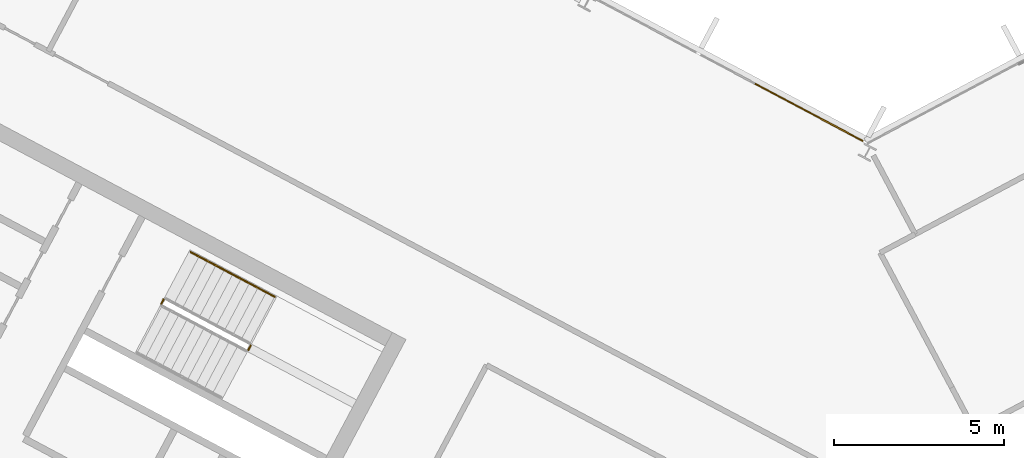
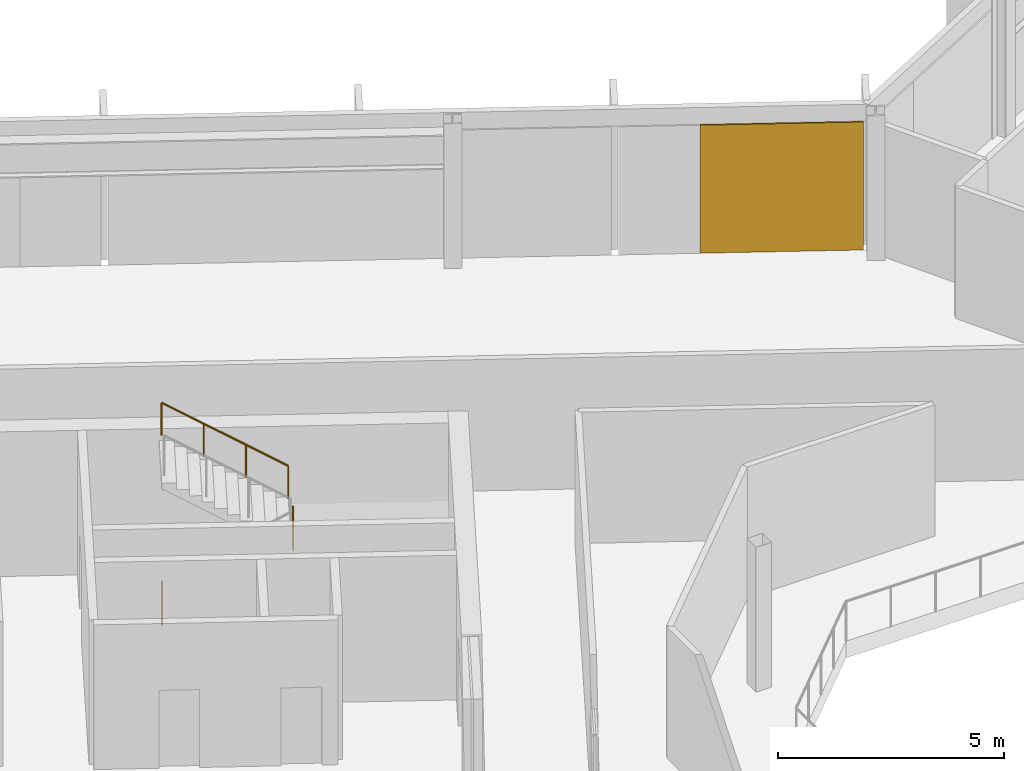
# One storey, part 23 of 26: 3 railings, 1 covering, 1 element without a shape of its own.
"""IFC4 building model written with IfcOpenShell, lengths in metres."""

from ifc_helpers import new_model, si_unit, direction, frame, origin, origin_2d, place, context, subcontext, project, spatial, polyline, rectangle, outline, extrude, material, layer, layer_set, type_object, element, aggregate, save


model = new_model("IFC4")

# Units and contexts
model_context = context("Model", 3, precision=1e-05, world=origin(), true_north=direction((0.0, 1.0)))
body_context = subcontext(model_context, "Body", "Model", "MODEL_VIEW")
ifc_project = project(units=[si_unit("LENGTHUNIT", "METRE"), si_unit("AREAUNIT", "SQUARE_METRE"), si_unit("VOLUMEUNIT", "CUBIC_METRE"), si_unit("PLANEANGLEUNIT", "RADIAN"), si_unit("MASSUNIT", "GRAM", prefix="KILO")], contexts=[model_context])

# Site, building, storey
site_placement = place(None, origin())
site = spatial("IfcSite", under=ifc_project, at=site_placement, CompositionType="ELEMENT")
building_placement = place(site_placement, origin())
building = spatial("IfcBuilding", under=site, at=building_placement, Name="Cormorant Relay Tower", CompositionType="ELEMENT")
storey_placement = place(building_placement, frame((0.0, 0.0, 320.39990234375)))
storey = spatial("IfcBuildingStorey", under=building, at=storey_placement, Name="L73", CompositionType="ELEMENT", Elevation=320.39990234375)

# Curtain wall, covering
ifc_material_1 = material(Name="Aluminium 6063-T6 anodised bronze", Category="aluminium")
ifc_layer_1 = layer(ifc_material_1, 0.199951171875)
ifc_layer_set_1 = layer_set([ifc_layer_1], Name="CW1 unitised bronze curtain wall with vertical fins")
curtain_wall_type = type_object("IfcCurtainWallType", Name="CW1 unitised bronze curtain wall with vertical fins", PredefinedType="NOTDEFINED", material=ifc_layer_set_1)
curtain_wall_placement = place(storey_placement, origin())
curtain_wall = element("IfcCurtainWall", 1, at=curtain_wall_placement, inside=storey, type_object=curtain_wall_type, Name="CW1 curtain wall 9", PredefinedType="NOTDEFINED")
ifc_material_2 = material(Name="Pale bronze anodised aluminium insulated panel", Category="aluminium")
ifc_layer_2 = layer(ifc_material_2, 0.0400390625)
ifc_layer_set_2 = layer_set([ifc_layer_2], Name="CW1 pale bronze insulated panel 40")
covering_type = type_object("IfcCoveringType", Name="CW1 pale bronze insulated panel 40", PredefinedType="CLADDING", material=ifc_layer_set_2)
covering_placement = place(storey_placement, frame((-1.718505859375, 24.720458984375, 0.0), z_axis=(0.0, 0.0, 1.0), x_axis=(-0.882947592859, 0.469471562786, 0.0)))
covering = element("IfcCovering", 2, at=covering_placement, type_object=covering_type, Name="CW1 panel S00", PredefinedType="CLADDING", context=body_context, shape_type="SweptSolid", body=[
    extrude(rectangle(XDim=3.614013671875, YDim=0.0400390625, at=origin_2d()), origin(), (0.0, 0.0, 1.0), 3.449951171875),
])
aggregate(curtain_wall, [covering])

# Railings
ifc_material_3 = material(Name="Steel ASTM A572 Grade 50 (Fy 345 MPa)", Category="steel")
railing_type_1 = type_object("IfcRailingType", Name="Stair guard 1100", PredefinedType="GUARDRAIL", material=ifc_material_3)
railing_1_placement = place(storey_placement, frame((-18.210693359375, 17.72412109375, 1.9501953125)))
element("IfcRailing", 3, at=railing_1_placement, inside=storey, type_object=railing_type_1, Name="L73 A1 stair guard 2", PredefinedType="GUARDRAIL", context=body_context, shape_type="SweptSolid", body=[
    extrude(outline(polyline([(0.022216796875, 0.00927734375), (0.00927734375, 0.022216796875), (-0.00927734375, 0.022216796875), (-0.022216796875, 0.00927734375), (-0.022216796875, -0.00927734375), (-0.00927734375, -0.022216796875), (0.00927734375, -0.022216796875), (0.022216796875, -0.00927734375), (0.022216796875, 0.00927734375)])), frame((0.0, 0.0, 1.076171875), z_axis=(0.470503732759, 0.882398003998, 0.0), x_axis=(-0.882398003998, 0.470503732759, 0.0)), (0.0, 0.0, 1.0), 0.14990234375),
    extrude(outline(polyline([(0.019287109375, 0.008056640625), (0.008056640625, 0.019287109375), (-0.008056640625, 0.019287109375), (-0.019287109375, 0.008056640625), (-0.019287109375, -0.008056640625), (-0.008056640625, -0.019287109375), (0.008056640625, -0.019287109375), (0.019287109375, -0.008056640625), (0.019287109375, 0.008056640625)])), origin(), (0.0, 0.0, 1.0), 1.052001953125),
    extrude(outline(polyline([(0.019287109375, 0.008056640625), (0.008056640625, 0.019287109375), (-0.008056640625, 0.019287109375), (-0.019287109375, 0.008056640625), (-0.019287109375, -0.008056640625), (-0.008056640625, -0.019287109375), (0.008056640625, -0.019287109375), (0.019287109375, -0.008056640625), (0.019287109375, 0.008056640625)])), frame((0.070556640625, 0.13232421875, 0.0)), (0.0, 0.0, 1.0), 1.052001953125),
])
railing_2_placement = place(storey_placement, frame((-20.771240234375, 19.08544921875, 0.0)))
element("IfcRailing", 4, at=railing_2_placement, inside=storey, type_object=railing_type_1, Name="L73 A1 stair guard 4", PredefinedType="GUARDRAIL", context=body_context, shape_type="SweptSolid", body=[
    extrude(outline(polyline([(0.022216796875, 0.00927734375), (0.00927734375, 0.022216796875), (-0.00927734375, 0.022216796875), (-0.022216796875, 0.00927734375), (-0.022216796875, -0.00927734375), (-0.00927734375, -0.022216796875), (0.00927734375, -0.022216796875), (0.022216796875, -0.00927734375), (0.022216796875, 0.00927734375)])), frame((0.0, 0.0, 1.076171875), z_axis=(0.469828648786, 0.882757634224, 0.0), x_axis=(-0.882757634224, 0.469828648786, 0.0)), (0.0, 0.0, 1.0), 0.150146484375),
    extrude(outline(polyline([(0.019287109375, 0.008056640625), (0.008056640625, 0.019287109375), (-0.008056640625, 0.019287109375), (-0.019287109375, 0.008056640625), (-0.019287109375, -0.008056640625), (-0.008056640625, -0.019287109375), (0.008056640625, -0.019287109375), (0.019287109375, -0.008056640625), (0.019287109375, 0.008056640625)])), origin(), (0.0, 0.0, 1.0), 1.052001953125),
    extrude(outline(polyline([(0.019287109375, 0.008056640625), (0.008056640625, 0.019287109375), (-0.008056640625, 0.019287109375), (-0.019287109375, 0.008056640625), (-0.019287109375, -0.008056640625), (-0.008056640625, -0.019287109375), (0.008056640625, -0.019287109375), (0.019287109375, -0.008056640625), (0.019287109375, 0.008056640625)])), frame((0.070556640625, 0.132568359375, 0.0)), (0.0, 0.0, 1.0), 1.052001953125),
])
ifc_material_4 = material(Name="Steel ASTM A572 Grade 50 (Fy 345 MPa)", Category="steel")
railing_type_2 = type_object("IfcRailingType", Name="Stair handrail 900", PredefinedType="HANDRAIL", material=ifc_material_4)
railing_3_placement = place(storey_placement, frame((-17.433349609375, 19.292724609375, 2.12744140625)))
element("IfcRailing", 5, at=railing_3_placement, inside=storey, type_object=railing_type_2, Name="L73 A1 stair handrail 2", PredefinedType="HANDRAIL", context=body_context, shape_type="SweptSolid", body=[
    extrude(outline(polyline([(0.022216796875, 0.00927734375), (0.00927734375, 0.022216796875), (-0.00927734375, 0.022216796875), (-0.022216796875, 0.00927734375), (-0.022216796875, -0.00927734375), (-0.00927734375, -0.022216796875), (0.00927734375, -0.022216796875), (0.022216796875, -0.00927734375), (0.022216796875, 0.00927734375)])), frame((0.0, 0.0, 0.8759765625), z_axis=(-0.746001213114, 0.396649272309, 0.534931345884), x_axis=(-0.469465464807, -0.882950835185, 0.0)), (0.0, 0.0, 1.0), 3.31396484375),
    extrude(outline(polyline([(0.019287109375, 0.008056640625), (0.008056640625, 0.019287109375), (-0.008056640625, 0.019287109375), (-0.019287109375, 0.008056640625), (-0.019287109375, -0.008056640625), (-0.008056640625, -0.019287109375), (0.008056640625, -0.019287109375), (0.019287109375, -0.008056640625), (0.019287109375, 0.008056640625)])), origin(), (0.0, 0.0, 1.0), 0.851806640625),
    extrude(outline(polyline([(0.019287109375, 0.008056640625), (0.008056640625, 0.019287109375), (-0.008056640625, 0.019287109375), (-0.019287109375, 0.008056640625), (-0.019287109375, -0.008056640625), (-0.008056640625, -0.019287109375), (0.008056640625, -0.019287109375), (0.019287109375, -0.008056640625), (0.019287109375, 0.008056640625)])), frame((-0.823974609375, 0.438232421875, 0.5908203125)), (0.0, 0.0, 1.0), 0.851806640625),
    extrude(outline(polyline([(0.019287109375, 0.008056640625), (0.008056640625, 0.019287109375), (-0.008056640625, 0.019287109375), (-0.019287109375, 0.008056640625), (-0.019287109375, -0.008056640625), (-0.008056640625, -0.019287109375), (0.008056640625, -0.019287109375), (0.019287109375, -0.008056640625), (0.019287109375, 0.008056640625)])), frame((-1.648193359375, 0.876220703125, 1.181884765625)), (0.0, 0.0, 1.0), 0.851806640625),
    extrude(outline(polyline([(0.019287109375, 0.008056640625), (0.008056640625, 0.019287109375), (-0.008056640625, 0.019287109375), (-0.019287109375, 0.008056640625), (-0.019287109375, -0.008056640625), (-0.008056640625, -0.019287109375), (0.008056640625, -0.019287109375), (0.019287109375, -0.008056640625), (0.019287109375, 0.008056640625)])), frame((-2.47216796875, 1.314453125, 1.772705078125)), (0.0, 0.0, 1.0), 0.851806640625),
])

save(model, "model.ifc")
